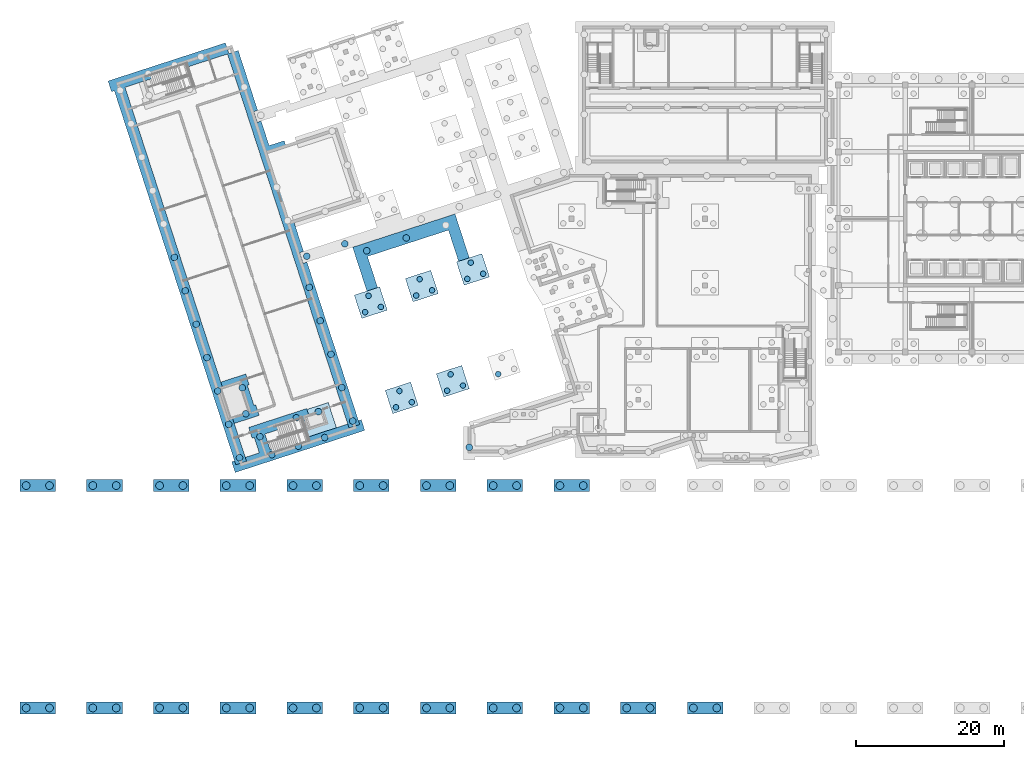
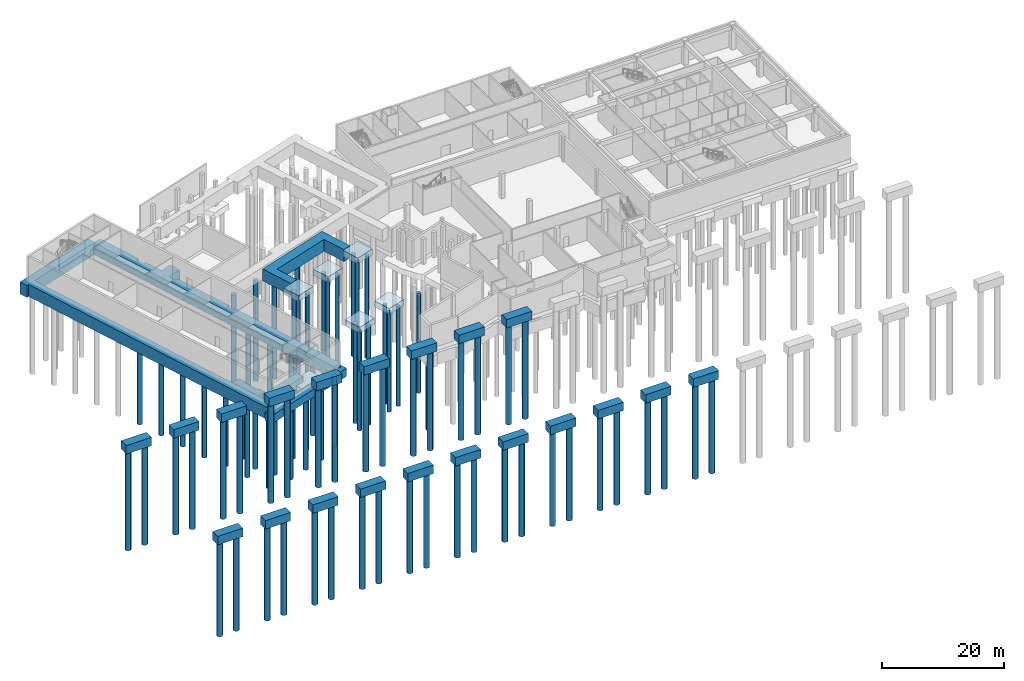
# One storey, part 1 of 17: 81 piles, 30 footings.
"""IFC4 building model written with IfcOpenShell, lengths in metres."""

from ifc_helpers import new_model, si_unit, direction, frame, origin, origin_2d, place, context, subcontext, project, spatial, polyline, rectangle, circle, outline, extrude, material, layer, layer_set, material_profile, profile_set, type_object, element, save


model = new_model("IFC4")

# Units and contexts
model_context = context("Model", 3, precision=1e-05, world=origin(), true_north=direction((0.0, 1.0)))
body_context = subcontext(model_context, "Body", "Model", "MODEL_VIEW")
ifc_project = project(units=[si_unit("LENGTHUNIT", "METRE"), si_unit("AREAUNIT", "SQUARE_METRE"), si_unit("VOLUMEUNIT", "CUBIC_METRE"), si_unit("PLANEANGLEUNIT", "RADIAN"), si_unit("MASSUNIT", "GRAM", prefix="KILO")], contexts=[model_context])

# Site, building, storey
site_placement = place(None, origin())
site = spatial("IfcSite", under=ifc_project, at=site_placement, CompositionType="ELEMENT")
building_placement = place(site_placement, origin())
building = spatial("IfcBuilding", under=site, at=building_placement, Name="Tuart Plaza Theatre", CompositionType="ELEMENT")
storey_placement = place(building_placement, frame((0.0, 0.0, -10.0)))
storey = spatial("IfcBuildingStorey", under=building, at=storey_placement, Name="B2", CompositionType="ELEMENT", Elevation=-10.0)

# Footings
ifc_material_1 = material(Name="Concrete N40 (40 MPa)", Category="concrete")
footing_type_1 = type_object("IfcFootingType", Name="CAP-2P-D1050-4800X1650X1700", PredefinedType="PILE_CAP", material=ifc_material_1)
for number, where, z_axis, x_axis, name in (
    (1, (6.0, 8.0, 3.2998046875), (0.0, 0.0, 1.0), (1.0, 0.0, 0.0), "D-CAP-001"),
    (2, (6.0, 38.0, 3.2998046875), (0.0, 0.0, 1.0), (1.0, 0.0, 0.0), "D-CAP-002"),
    (3, (15.0, 8.0, 3.2998046875), (0.0, 0.0, 1.0), (1.0, 0.0, 0.0), "D-CAP-003"),
    (4, (15.0, 38.0, 3.2998046875), (0.0, 0.0, 1.0), (1.0, 0.0, 0.0), "D-CAP-004"),
    (5, (24.0, 8.0, 3.2998046875), (0.0, 0.0, 1.0), (1.0, 0.0, 0.0), "D-CAP-005"),
    (6, (24.0, 38.0, 3.2998046875), (0.0, 0.0, 1.0), (1.0, 0.0, 0.0), "D-CAP-006"),
    (7, (33.0, 8.0, 3.2998046875), (0.0, 0.0, 1.0), (1.0, 0.0, 0.0), "D-CAP-007"),
    (8, (33.0, 38.0, 3.2998046875), (0.0, 0.0, 1.0), (1.0, 0.0, 0.0), "D-CAP-008"),
    (9, (42.0, 8.0, 3.2998046875), (0.0, 0.0, 1.0), (1.0, 0.0, 0.0), "D-CAP-009"),
    (10, (42.0, 38.0, 3.2998046875), (0.0, 0.0, 1.0), (1.0, 0.0, 0.0), "D-CAP-010"),
    (11, (51.0, 8.0, 3.2998046875), (0.0, 0.0, 1.0), (1.0, 0.0, 0.0), "D-CAP-015"),
    (12, (51.0, 38.0, 3.2998046875), (0.0, 0.0, 1.0), (1.0, 0.0, 0.0), "D-CAP-016"),
    (13, (60.0, 8.0, 3.2998046875), (0.0, 0.0, 1.0), (1.0, 0.0, 0.0), "D-CAP-022"),
    (14, (60.0, 38.0, 3.2998046875), (0.0, 0.0, 1.0), (1.0, 0.0, 0.0), "D-CAP-023"),
    (15, (69.0, 8.0, 3.2998046875), (0.0, 0.0, 1.0), (1.0, 0.0, 0.0), "D-CAP-030"),
    (16, (69.0, 38.0, 3.2998046875), (0.0, 0.0, 1.0), (1.0, 0.0, 0.0), "D-CAP-031"),
    (17, (78.0, 8.0, 3.2998046875), (0.0, 0.0, 1.0), (1.0, 0.0, 0.0), "D-CAP-037"),
    (18, (78.0, 38.0, 3.2998046875), (0.0, 0.0, 1.0), (1.0, 0.0, 0.0), "D-CAP-038"),
    (19, (87.0, 8.0, 3.2998046875), (0.0, 0.0, 1.0), (1.0, 0.0, 0.0), "D-CAP-043"),
    (20, (96.0, 8.0, 3.2998046875), (0.0, 0.0, 1.0), (1.0, 0.0, 0.0), "D-CAP-050"),
):
    element("IfcFooting", number, at=place(storey_placement, frame(where, z_axis=z_axis, x_axis=x_axis)), inside=storey, type_object=footing_type_1, Name=name, PredefinedType="PILE_CAP", context=body_context, shape_type="SweptSolid", body=[
        extrude(rectangle(XDim=4.800048828125, YDim=1.64990234375, at=origin_2d()), origin(), (0.0, 0.0, 1.0), 1.699951171875),
    ])
ifc_material_2 = material(Name="Concrete N40 (40 MPa)", Category="concrete")
footing_type_2 = type_object("IfcFootingType", Name="CAP-3P-D750-3600X3299X1200", PredefinedType="PILE_CAP", material=ifc_material_2)
for number, where, z_axis, x_axis, name in (
    (21, (50.907958984375, 62.6669921875, 3.4501953125), (0.0, 0.0, 1.0), (0.951056516295, 0.309016994375, 0.0), "D-CAP-014"),
    (22, (55.079833984375, 49.82763671875, 3.4501953125), (0.0, 0.0, 1.0), (0.951056516295, 0.309016994375, 0.0), "D-CAP-019"),
    (23, (57.80322265625, 64.9072265625, 3.4501953125), (0.0, 0.0, 1.0), (0.951056516295, 0.309016994375, 0.0), "D-CAP-020"),
    (24, (61.974853515625, 52.068115234375, 3.4501953125), (0.0, 0.0, 1.0), (0.951056516295, 0.309016994375, 0.0), "D-CAP-025"),
    (25, (64.6982421875, 67.147705078125, 3.4501953125), (0.0, 0.0, 1.0), (0.951056516295, 0.309016994375, 0.0), "D-CAP-027"),
):
    element("IfcFooting", number, at=place(storey_placement, frame(where, z_axis=z_axis, x_axis=x_axis)), inside=storey, type_object=footing_type_2, Name=name, PredefinedType="PILE_CAP", context=body_context, shape_type="SweptSolid", body=[
        extrude(rectangle(XDim=3.60009765625, YDim=3.299072265625, at=origin_2d()), origin(), (0.0, 0.0, 1.0), 1.199951171875),
    ])
ifc_material_3 = material(Name="Concrete N40 (40 MPa)", Category="concrete")
ifc_layer_1 = layer(ifc_material_3, 1.39990234375)
ifc_layer_set_1 = layer_set([ifc_layer_1], Name="CAP-STRIP-D900-T1400")
footing_type_3 = type_object("IfcFootingType", Name="CAP-STRIP-D900-T1400", PredefinedType="PILE_CAP", material=ifc_layer_set_1)
footing_1_placement = place(storey_placement, frame((0.0, 0.0, -3.199951171875)))
element("IfcFooting", 26, at=footing_1_placement, inside=storey, type_object=footing_type_3, Name="D-CAP-094", PredefinedType="PILE_CAP", context=body_context, shape_type="SweptSolid", body=[
    extrude(outline(polyline([(30.688720703125, 51.95458984375), (32.502685546875, 46.3720703125), (35.85498046875, 47.461181640625), (35.385498046875, 48.906982421875), (35.147705078125, 48.82958984375), (34.273193359375, 51.52099609375), (34.5107421875, 51.598388671875), (34.041015625, 53.0439453125), (30.688720703125, 51.95458984375)]), holes=[polyline([(32.827392578125, 51.051513671875), (31.467529296875, 50.609619140625), (32.342041015625, 47.91796875), (33.701904296875, 48.35986328125), (32.827392578125, 51.051513671875)])]), origin(), (0.0, 0.0, 1.0), 1.39990234375),
])
footing_2_placement = place(storey_placement, frame((0.0, 0.0, -3.199951171875)))
element("IfcFooting", 27, at=footing_2_placement, inside=storey, type_object=footing_type_3, Name="D-CAP-098", PredefinedType="PILE_CAP", context=body_context, shape_type="SweptSolid", body=[
    extrude(outline(polyline([(42.298095703125, 48.261474609375), (42.729248046875, 46.934814453125), (41.164794921875, 46.426513671875), (41.83837890625, 44.35302734375), (46.27978515625, 45.796142578125), (45.175048828125, 49.1962890625), (42.298095703125, 48.261474609375)])), origin(), (0.0, 0.0, 1.0), 1.39990234375),
])
ifc_material_4 = material(Name="Concrete N40 (40 MPa)", Category="concrete")
ifc_layer_2 = layer(ifc_material_4, 1.60009765625)
ifc_layer_set_2 = layer_set([ifc_layer_2], Name="CAP-STRIP-D900-T1600")
footing_type_4 = type_object("IfcFootingType", Name="CAP-STRIP-D900-T1600", PredefinedType="PILE_CAP", material=ifc_layer_set_2)
footing_3_placement = place(storey_placement, frame((0.0, 0.0, -2.39990234375)))
element("IfcFooting", 28, at=footing_3_placement, inside=storey, type_object=footing_type_4, Name="D-CAP-097", PredefinedType="PILE_CAP", context=body_context, shape_type="SweptSolid", body=[
    extrude(outline(polyline([(34.160400390625, 41.26953125), (32.71484375, 40.7998046875), (32.541748046875, 41.33251953125), (32.161376953125, 41.208740234375), (32.631103515625, 39.76318359375), (50.10205078125, 45.43994140625), (49.63232421875, 46.885498046875), (49.251953125, 46.761962890625), (49.4248046875, 46.229248046875), (47.979248046875, 45.759521484375), (47.806396484375, 46.292236328125), (37.316162109375, 42.8837890625), (36.642578125, 44.95703125), (42.729248046875, 46.934814453125), (42.259521484375, 48.38037109375), (34.44189453125, 45.840087890625), (34.91162109375, 44.39453125), (35.197021484375, 44.4873046875), (35.87060546875, 42.4140625), (33.9873046875, 41.80224609375), (34.160400390625, 41.26953125)])), origin(), (0.0, 0.0, 1.0), 1.599853515625),
])
ifc_material_5 = material(Name="Concrete N40 (40 MPa)", Category="concrete")
ifc_layer_3 = layer(ifc_material_5, 2.39990234375)
ifc_layer_set_3 = layer_set([ifc_layer_3], Name="CAP-STRIP-D900-T2400")
footing_type_5 = type_object("IfcFootingType", Name="CAP-STRIP-D900-T2400", PredefinedType="PILE_CAP", material=ifc_layer_set_3)
footing_4_placement = place(storey_placement, frame((0.0, 0.0, -2.39990234375)))
element("IfcFooting", 29, at=footing_4_placement, inside=storey, type_object=footing_type_5, Name="D-CAP-093", PredefinedType="PILE_CAP", context=body_context, shape_type="SweptSolid", body=[
    extrude(outline(polyline([(15.944091796875, 91.120361328125), (16.32470703125, 91.243896484375), (32.71484375, 40.7998046875), (34.160400390625, 41.26953125), (17.770263671875, 91.713623046875), (31.589111328125, 96.20361328125), (47.979248046875, 45.759521484375), (49.4248046875, 46.229248046875), (42.30517578125, 68.1416015625), (41.79638671875, 67.976318359375), (41.32666015625, 69.421875), (41.83544921875, 69.587158203125), (38.334228515625, 80.36279296875), (37.844482421875, 80.20361328125), (37.374755859375, 81.649169921875), (39.890380859375, 82.466552734375), (39.22607421875, 84.51123046875), (37.2001953125, 83.85302734375), (36.124755859375, 87.162841796875), (35.611328125, 86.995849609375), (35.1416015625, 88.44140625), (35.655029296875, 88.6083984375), (33.03466796875, 96.67333984375), (31.779296875, 96.265380859375), (31.3095703125, 97.7109375), (15.474609375, 92.56591796875), (15.944091796875, 91.120361328125)])), origin(), (0.0, 0.0, 1.0), 2.39990234375),
])
footing_5_placement = place(storey_placement, frame((0.0, 0.0, 2.25)))
element("IfcFooting", 30, at=footing_5_placement, inside=storey, type_object=footing_type_5, Name="D-CAP-101", PredefinedType="PILE_CAP", context=body_context, shape_type="SweptSolid", body=[
    extrude(outline(polyline([(50.388916015625, 64.232421875), (51.83447265625, 64.7021484375), (50.469970703125, 68.90185546875), (61.387939453125, 72.449462890625), (62.75244140625, 68.249755859375), (64.197998046875, 68.719482421875), (62.27734375, 74.631103515625), (48.468017578125, 70.14404296875), (50.388916015625, 64.232421875)])), origin(), (0.0, 0.0, 1.0), 2.39990234375),
])

# Piles
ifc_material_6 = material(Name="Concrete N40 (40 MPa)", Category="concrete")
ifc_material_profile_1 = material_profile(ifc_material_6, circle(Radius=0.52490234375, at=origin_2d()), Name="PILE-BORED-D1050")
ifc_profile_set_1 = profile_set([ifc_material_profile_1], Name="Concrete N40 (40 MPa)")
pile_type_1 = type_object("IfcPileType", Name="PILE-BORED-D1050", PredefinedType="BORED", material=ifc_profile_set_1)
for number, where, z_axis, x_axis, name in (
    (31, (4.425048828125, 8.0, 3.300048828125), (0.0, 0.0, -1.0), (1.0, 0.0, 0.0), "D-PIL-001-01"),
    (32, (7.574951171875, 8.0, 3.300048828125), (0.0, 0.0, -1.0), (1.0, 0.0, 0.0), "D-PIL-001-02"),
):
    element("IfcPile", number, at=place(storey_placement, frame(where, z_axis=z_axis, x_axis=x_axis)), inside=storey, type_object=pile_type_1, Name=name, PredefinedType="BORED", context=body_context, shape_type="SweptSolid", body=[
        extrude(circle(Radius=0.52490234375, at=origin_2d()), origin(), (0.0, 0.0, 1.0), 18.800048828125),
    ])
for number, where, z_axis, x_axis, name in (
    (33, (4.425048828125, 38.0, 3.300048828125), (0.0, 0.0, -1.0), (1.0, 0.0, 0.0), "D-PIL-002-01"),
    (34, (7.574951171875, 38.0, 3.300048828125), (0.0, 0.0, -1.0), (1.0, 0.0, 0.0), "D-PIL-002-02"),
):
    element("IfcPile", number, at=place(storey_placement, frame(where, z_axis=z_axis, x_axis=x_axis)), inside=storey, type_object=pile_type_1, Name=name, PredefinedType="BORED", context=body_context, shape_type="SweptSolid", body=[
        extrude(circle(Radius=0.52490234375, at=origin_2d()), origin(), (0.0, 0.0, 1.0), 19.800048828125),
    ])
for number, where, z_axis, x_axis, name in (
    (35, (13.425048828125, 8.0, 3.300048828125), (0.0, 0.0, -1.0), (1.0, 0.0, 0.0), "D-PIL-003-01"),
    (36, (16.574951171875, 8.0, 3.300048828125), (0.0, 0.0, -1.0), (1.0, 0.0, 0.0), "D-PIL-003-02"),
):
    element("IfcPile", number, at=place(storey_placement, frame(where, z_axis=z_axis, x_axis=x_axis)), inside=storey, type_object=pile_type_1, Name=name, PredefinedType="BORED", context=body_context, shape_type="SweptSolid", body=[
        extrude(circle(Radius=0.52490234375, at=origin_2d()), origin(), (0.0, 0.0, 1.0), 18.800048828125),
    ])
for number, where, z_axis, x_axis, name in (
    (37, (13.425048828125, 38.0, 3.300048828125), (0.0, 0.0, -1.0), (1.0, 0.0, 0.0), "D-PIL-004-01"),
    (38, (16.574951171875, 38.0, 3.300048828125), (0.0, 0.0, -1.0), (1.0, 0.0, 0.0), "D-PIL-004-02"),
):
    element("IfcPile", number, at=place(storey_placement, frame(where, z_axis=z_axis, x_axis=x_axis)), inside=storey, type_object=pile_type_1, Name=name, PredefinedType="BORED", context=body_context, shape_type="SweptSolid", body=[
        extrude(circle(Radius=0.52490234375, at=origin_2d()), origin(), (0.0, 0.0, 1.0), 19.800048828125),
    ])
for number, where, z_axis, x_axis, name in (
    (39, (22.425048828125, 8.0, 3.300048828125), (0.0, 0.0, -1.0), (1.0, 0.0, 0.0), "D-PIL-005-01"),
    (40, (25.574951171875, 8.0, 3.300048828125), (0.0, 0.0, -1.0), (1.0, 0.0, 0.0), "D-PIL-005-02"),
):
    element("IfcPile", number, at=place(storey_placement, frame(where, z_axis=z_axis, x_axis=x_axis)), inside=storey, type_object=pile_type_1, Name=name, PredefinedType="BORED", context=body_context, shape_type="SweptSolid", body=[
        extrude(circle(Radius=0.52490234375, at=origin_2d()), origin(), (0.0, 0.0, 1.0), 18.800048828125),
    ])
for number, where, z_axis, x_axis, name in (
    (41, (22.425048828125, 38.0, 3.300048828125), (0.0, 0.0, -1.0), (1.0, 0.0, 0.0), "D-PIL-006-01"),
    (42, (25.574951171875, 38.0, 3.300048828125), (0.0, 0.0, -1.0), (1.0, 0.0, 0.0), "D-PIL-006-02"),
):
    element("IfcPile", number, at=place(storey_placement, frame(where, z_axis=z_axis, x_axis=x_axis)), inside=storey, type_object=pile_type_1, Name=name, PredefinedType="BORED", context=body_context, shape_type="SweptSolid", body=[
        extrude(circle(Radius=0.52490234375, at=origin_2d()), origin(), (0.0, 0.0, 1.0), 19.800048828125),
    ])
for number, where, z_axis, x_axis, name in (
    (43, (31.425048828125, 8.0, 3.300048828125), (0.0, 0.0, -1.0), (1.0, 0.0, 0.0), "D-PIL-007-01"),
    (44, (34.574951171875, 8.0, 3.300048828125), (0.0, 0.0, -1.0), (1.0, 0.0, 0.0), "D-PIL-007-02"),
):
    element("IfcPile", number, at=place(storey_placement, frame(where, z_axis=z_axis, x_axis=x_axis)), inside=storey, type_object=pile_type_1, Name=name, PredefinedType="BORED", context=body_context, shape_type="SweptSolid", body=[
        extrude(circle(Radius=0.52490234375, at=origin_2d()), origin(), (0.0, 0.0, 1.0), 18.800048828125),
    ])
for number, where, z_axis, x_axis, name in (
    (45, (31.425048828125, 38.0, 3.300048828125), (0.0, 0.0, -1.0), (1.0, 0.0, 0.0), "D-PIL-008-01"),
    (46, (34.574951171875, 38.0, 3.300048828125), (0.0, 0.0, -1.0), (1.0, 0.0, 0.0), "D-PIL-008-02"),
):
    element("IfcPile", number, at=place(storey_placement, frame(where, z_axis=z_axis, x_axis=x_axis)), inside=storey, type_object=pile_type_1, Name=name, PredefinedType="BORED", context=body_context, shape_type="SweptSolid", body=[
        extrude(circle(Radius=0.52490234375, at=origin_2d()), origin(), (0.0, 0.0, 1.0), 19.800048828125),
    ])
for number, where, z_axis, x_axis, name in (
    (47, (40.425048828125, 8.0, 3.300048828125), (0.0, 0.0, -1.0), (1.0, 0.0, 0.0), "D-PIL-009-01"),
    (48, (43.574951171875, 8.0, 3.300048828125), (0.0, 0.0, -1.0), (1.0, 0.0, 0.0), "D-PIL-009-02"),
):
    element("IfcPile", number, at=place(storey_placement, frame(where, z_axis=z_axis, x_axis=x_axis)), inside=storey, type_object=pile_type_1, Name=name, PredefinedType="BORED", context=body_context, shape_type="SweptSolid", body=[
        extrude(circle(Radius=0.52490234375, at=origin_2d()), origin(), (0.0, 0.0, 1.0), 18.800048828125),
    ])
for number, where, z_axis, x_axis, name in (
    (49, (40.425048828125, 38.0, 3.300048828125), (0.0, 0.0, -1.0), (1.0, 0.0, 0.0), "D-PIL-010-01"),
    (50, (43.574951171875, 38.0, 3.300048828125), (0.0, 0.0, -1.0), (1.0, 0.0, 0.0), "D-PIL-010-02"),
):
    element("IfcPile", number, at=place(storey_placement, frame(where, z_axis=z_axis, x_axis=x_axis)), inside=storey, type_object=pile_type_1, Name=name, PredefinedType="BORED", context=body_context, shape_type="SweptSolid", body=[
        extrude(circle(Radius=0.52490234375, at=origin_2d()), origin(), (0.0, 0.0, 1.0), 19.800048828125),
    ])
for number, where, z_axis, x_axis, name in (
    (51, (49.425048828125, 8.0, 3.300048828125), (0.0, 0.0, -1.0), (1.0, 0.0, 0.0), "D-PIL-015-01"),
    (52, (52.574951171875, 8.0, 3.300048828125), (0.0, 0.0, -1.0), (1.0, 0.0, 0.0), "D-PIL-015-02"),
):
    element("IfcPile", number, at=place(storey_placement, frame(where, z_axis=z_axis, x_axis=x_axis)), inside=storey, type_object=pile_type_1, Name=name, PredefinedType="BORED", context=body_context, shape_type="SweptSolid", body=[
        extrude(circle(Radius=0.52490234375, at=origin_2d()), origin(), (0.0, 0.0, 1.0), 18.800048828125),
    ])
for number, where, z_axis, x_axis, name in (
    (53, (49.425048828125, 38.0, 3.300048828125), (0.0, 0.0, -1.0), (1.0, 0.0, 0.0), "D-PIL-016-01"),
    (54, (52.574951171875, 38.0, 3.300048828125), (0.0, 0.0, -1.0), (1.0, 0.0, 0.0), "D-PIL-016-02"),
):
    element("IfcPile", number, at=place(storey_placement, frame(where, z_axis=z_axis, x_axis=x_axis)), inside=storey, type_object=pile_type_1, Name=name, PredefinedType="BORED", context=body_context, shape_type="SweptSolid", body=[
        extrude(circle(Radius=0.52490234375, at=origin_2d()), origin(), (0.0, 0.0, 1.0), 19.800048828125),
    ])
for number, where, z_axis, x_axis, name in (
    (55, (58.425048828125, 8.0, 3.300048828125), (0.0, 0.0, -1.0), (1.0, 0.0, 0.0), "D-PIL-022-01"),
    (56, (61.574951171875, 8.0, 3.300048828125), (0.0, 0.0, -1.0), (1.0, 0.0, 0.0), "D-PIL-022-02"),
):
    element("IfcPile", number, at=place(storey_placement, frame(where, z_axis=z_axis, x_axis=x_axis)), inside=storey, type_object=pile_type_1, Name=name, PredefinedType="BORED", context=body_context, shape_type="SweptSolid", body=[
        extrude(circle(Radius=0.52490234375, at=origin_2d()), origin(), (0.0, 0.0, 1.0), 18.800048828125),
    ])
for number, where, z_axis, x_axis, name in (
    (57, (58.425048828125, 38.0, 3.300048828125), (0.0, 0.0, -1.0), (1.0, 0.0, 0.0), "D-PIL-023-01"),
    (58, (61.574951171875, 38.0, 3.300048828125), (0.0, 0.0, -1.0), (1.0, 0.0, 0.0), "D-PIL-023-02"),
):
    element("IfcPile", number, at=place(storey_placement, frame(where, z_axis=z_axis, x_axis=x_axis)), inside=storey, type_object=pile_type_1, Name=name, PredefinedType="BORED", context=body_context, shape_type="SweptSolid", body=[
        extrude(circle(Radius=0.52490234375, at=origin_2d()), origin(), (0.0, 0.0, 1.0), 19.800048828125),
    ])
for number, where, z_axis, x_axis, name in (
    (59, (67.425048828125, 8.0, 3.300048828125), (0.0, 0.0, -1.0), (1.0, 0.0, 0.0), "D-PIL-030-01"),
    (60, (70.574951171875, 8.0, 3.300048828125), (0.0, 0.0, -1.0), (1.0, 0.0, 0.0), "D-PIL-030-02"),
):
    element("IfcPile", number, at=place(storey_placement, frame(where, z_axis=z_axis, x_axis=x_axis)), inside=storey, type_object=pile_type_1, Name=name, PredefinedType="BORED", context=body_context, shape_type="SweptSolid", body=[
        extrude(circle(Radius=0.52490234375, at=origin_2d()), origin(), (0.0, 0.0, 1.0), 18.800048828125),
    ])
for number, where, z_axis, x_axis, name in (
    (61, (67.425048828125, 38.0, 3.300048828125), (0.0, 0.0, -1.0), (1.0, 0.0, 0.0), "D-PIL-031-01"),
    (62, (70.574951171875, 38.0, 3.300048828125), (0.0, 0.0, -1.0), (1.0, 0.0, 0.0), "D-PIL-031-02"),
):
    element("IfcPile", number, at=place(storey_placement, frame(where, z_axis=z_axis, x_axis=x_axis)), inside=storey, type_object=pile_type_1, Name=name, PredefinedType="BORED", context=body_context, shape_type="SweptSolid", body=[
        extrude(circle(Radius=0.52490234375, at=origin_2d()), origin(), (0.0, 0.0, 1.0), 19.800048828125),
    ])
for number, where, z_axis, x_axis, name in (
    (63, (76.425048828125, 8.0, 3.300048828125), (0.0, 0.0, -1.0), (1.0, 0.0, 0.0), "D-PIL-037-01"),
    (64, (79.574951171875, 8.0, 3.300048828125), (0.0, 0.0, -1.0), (1.0, 0.0, 0.0), "D-PIL-037-02"),
):
    element("IfcPile", number, at=place(storey_placement, frame(where, z_axis=z_axis, x_axis=x_axis)), inside=storey, type_object=pile_type_1, Name=name, PredefinedType="BORED", context=body_context, shape_type="SweptSolid", body=[
        extrude(circle(Radius=0.52490234375, at=origin_2d()), origin(), (0.0, 0.0, 1.0), 18.800048828125),
    ])
for number, where, z_axis, x_axis, name in (
    (65, (76.425048828125, 38.0, 3.300048828125), (0.0, 0.0, -1.0), (1.0, 0.0, 0.0), "D-PIL-038-01"),
    (66, (79.574951171875, 38.0, 3.300048828125), (0.0, 0.0, -1.0), (1.0, 0.0, 0.0), "D-PIL-038-02"),
):
    element("IfcPile", number, at=place(storey_placement, frame(where, z_axis=z_axis, x_axis=x_axis)), inside=storey, type_object=pile_type_1, Name=name, PredefinedType="BORED", context=body_context, shape_type="SweptSolid", body=[
        extrude(circle(Radius=0.52490234375, at=origin_2d()), origin(), (0.0, 0.0, 1.0), 19.800048828125),
    ])
for number, where, z_axis, x_axis, name in (
    (67, (85.425048828125, 8.0, 3.300048828125), (0.0, 0.0, -1.0), (1.0, 0.0, 0.0), "D-PIL-043-01"),
    (68, (88.574951171875, 8.0, 3.300048828125), (0.0, 0.0, -1.0), (1.0, 0.0, 0.0), "D-PIL-043-02"),
    (69, (94.425048828125, 8.0, 3.300048828125), (0.0, 0.0, -1.0), (1.0, 0.0, 0.0), "D-PIL-050-01"),
    (70, (97.574951171875, 8.0, 3.300048828125), (0.0, 0.0, -1.0), (1.0, 0.0, 0.0), "D-PIL-050-02"),
):
    element("IfcPile", number, at=place(storey_placement, frame(where, z_axis=z_axis, x_axis=x_axis)), inside=storey, type_object=pile_type_1, Name=name, PredefinedType="BORED", context=body_context, shape_type="SweptSolid", body=[
        extrude(circle(Radius=0.52490234375, at=origin_2d()), origin(), (0.0, 0.0, 1.0), 18.800048828125),
    ])
ifc_material_7 = material(Name="Concrete N40 (40 MPa)", Category="concrete")
ifc_material_profile_2 = material_profile(ifc_material_7, circle(Radius=0.375, at=origin_2d()), Name="PILE-BORED-D750")
ifc_profile_set_2 = profile_set([ifc_material_profile_2], Name="Concrete N40 (40 MPa)")
pile_type_2 = type_object("IfcPileType", Name="PILE-BORED-D750", PredefinedType="BORED", material=ifc_profile_set_2)
for number, where, z_axis, x_axis, name in (
    (71, (50.13916015625, 61.392578125, 3.449951171875), (0.0, 0.0, -1.0), (1.0, 0.0, 0.0), "D-PIL-014-01"),
    (72, (52.279052734375, 62.087890625, 3.449951171875), (0.0, 0.0, -1.0), (1.0, 0.0, 0.0), "D-PIL-014-02"),
):
    element("IfcPile", number, at=place(storey_placement, frame(where, z_axis=z_axis, x_axis=x_axis)), inside=storey, type_object=pile_type_2, Name=name, PredefinedType="BORED", context=body_context, shape_type="SweptSolid", body=[
        extrude(circle(Radius=0.375, at=origin_2d()), origin(), (0.0, 0.0, 1.0), 19.949951171875),
    ])
pile_1_placement = place(storey_placement, frame((50.60693359375, 63.593505859375, 3.449951171875), z_axis=(0.0, 0.0, -1.0), x_axis=(1.0, 0.0, 0.0)))
element("IfcPile", 73, at=pile_1_placement, inside=storey, type_object=pile_type_2, Name="D-PIL-014-03", PredefinedType="BORED", context=body_context, shape_type="SweptSolid", body=[
    extrude(circle(Radius=0.375, at=origin_2d()), origin(), (0.0, 0.0, 1.0), 20.449951171875),
])
for number, where, z_axis, x_axis, name in (
    (74, (54.310791015625, 48.553466796875, 3.449951171875), (0.0, 0.0, -1.0), (1.0, 0.0, 0.0), "D-PIL-019-01"),
    (75, (56.45068359375, 49.248779296875, 3.449951171875), (0.0, 0.0, -1.0), (1.0, 0.0, 0.0), "D-PIL-019-02"),
    (76, (54.77880859375, 50.754150390625, 3.449951171875), (0.0, 0.0, -1.0), (1.0, 0.0, 0.0), "D-PIL-019-03"),
):
    element("IfcPile", number, at=place(storey_placement, frame(where, z_axis=z_axis, x_axis=x_axis)), inside=storey, type_object=pile_type_2, Name=name, PredefinedType="BORED", context=body_context, shape_type="SweptSolid", body=[
        extrude(circle(Radius=0.375, at=origin_2d()), origin(), (0.0, 0.0, 1.0), 19.949951171875),
    ])
for number, where, z_axis, x_axis, name in (
    (77, (57.0341796875, 63.633056640625, 3.449951171875), (0.0, 0.0, -1.0), (1.0, 0.0, 0.0), "D-PIL-020-01"),
    (78, (59.17431640625, 64.328369140625, 3.449951171875), (0.0, 0.0, -1.0), (1.0, 0.0, 0.0), "D-PIL-020-02"),
    (79, (57.502197265625, 65.833740234375, 3.449951171875), (0.0, 0.0, -1.0), (1.0, 0.0, 0.0), "D-PIL-020-03"),
):
    element("IfcPile", number, at=place(storey_placement, frame(where, z_axis=z_axis, x_axis=x_axis)), inside=storey, type_object=pile_type_2, Name=name, PredefinedType="BORED", context=body_context, shape_type="SweptSolid", body=[
        extrude(circle(Radius=0.375, at=origin_2d()), origin(), (0.0, 0.0, 1.0), 20.449951171875),
    ])
for number, where, z_axis, x_axis, name in (
    (80, (61.2060546875, 50.793701171875, 3.449951171875), (0.0, 0.0, -1.0), (1.0, 0.0, 0.0), "D-PIL-025-01"),
    (81, (63.345947265625, 51.489013671875, 3.449951171875), (0.0, 0.0, -1.0), (1.0, 0.0, 0.0), "D-PIL-025-02"),
    (82, (61.673828125, 52.99462890625, 3.449951171875), (0.0, 0.0, -1.0), (1.0, 0.0, 0.0), "D-PIL-025-03"),
):
    element("IfcPile", number, at=place(storey_placement, frame(where, z_axis=z_axis, x_axis=x_axis)), inside=storey, type_object=pile_type_2, Name=name, PredefinedType="BORED", context=body_context, shape_type="SweptSolid", body=[
        extrude(circle(Radius=0.375, at=origin_2d()), origin(), (0.0, 0.0, 1.0), 19.949951171875),
    ])
for number, where, z_axis, x_axis, name in (
    (83, (63.929443359375, 65.873291015625, 3.449951171875), (0.0, 0.0, -1.0), (1.0, 0.0, 0.0), "D-PIL-027-01"),
    (84, (66.0693359375, 66.568603515625, 3.449951171875), (0.0, 0.0, -1.0), (1.0, 0.0, 0.0), "D-PIL-027-02"),
    (85, (64.397216796875, 68.07421875, 3.449951171875), (0.0, 0.0, -1.0), (1.0, 0.0, 0.0), "D-PIL-027-03"),
):
    element("IfcPile", number, at=place(storey_placement, frame(where, z_axis=z_axis, x_axis=x_axis)), inside=storey, type_object=pile_type_2, Name=name, PredefinedType="BORED", context=body_context, shape_type="SweptSolid", body=[
        extrude(circle(Radius=0.375, at=origin_2d()), origin(), (0.0, 0.0, 1.0), 20.449951171875),
    ])
pile_2_placement = place(storey_placement, frame((68.101318359375, 53.0341796875, 3.449951171875), z_axis=(0.0, 0.0, -1.0), x_axis=(1.0, 0.0, 0.0)))
element("IfcPile", 86, at=pile_2_placement, inside=storey, type_object=pile_type_2, Name="D-PIL-029-01", PredefinedType="BORED", context=body_context, shape_type="SweptSolid", body=[
    extrude(circle(Radius=0.375, at=origin_2d()), origin(), (0.0, 0.0, 1.0), 19.949951171875),
])
ifc_material_8 = material(Name="Concrete N40 (40 MPa)", Category="concrete")
ifc_material_profile_3 = material_profile(ifc_material_8, circle(Radius=0.449951171875, at=origin_2d()), Name="PILE-BORED-D900")
ifc_profile_set_3 = profile_set([ifc_material_profile_3], Name="Concrete N40 (40 MPa)")
pile_type_3 = type_object("IfcPileType", Name="PILE-BORED-D900", PredefinedType="BORED", material=ifc_profile_set_3)
for number, where, z_axis, x_axis, name in (
    (87, (24.42431640625, 68.775390625, -2.39990234375), (0.0, 0.0, -1.0), (1.0, 0.0, 0.0), "D-PIL-093-06"),
    (88, (25.8876953125, 64.270751953125, -2.39990234375), (0.0, 0.0, -1.0), (1.0, 0.0, 0.0), "D-PIL-093-07"),
    (89, (27.351318359375, 59.76611328125, -2.39990234375), (0.0, 0.0, -1.0), (1.0, 0.0, 0.0), "D-PIL-093-08"),
    (90, (28.815185546875, 55.26171875, -2.39990234375), (0.0, 0.0, -1.0), (1.0, 0.0, 0.0), "D-PIL-093-09"),
):
    element("IfcPile", number, at=place(storey_placement, frame(where, z_axis=z_axis, x_axis=x_axis)), inside=storey, type_object=pile_type_3, Name=name, PredefinedType="BORED", context=body_context, shape_type="SweptSolid", body=[
        extrude(circle(Radius=0.449951171875, at=origin_2d()), origin(), (0.0, 0.0, 1.0), 14.60009765625),
    ])
for number, where, z_axis, x_axis, name in (
    (91, (30.27880859375, 50.757080078125, -2.39990234375), (0.0, 0.0, -1.0), (1.0, 0.0, 0.0), "D-PIL-093-10"),
    (92, (31.7421875, 46.252685546875, -2.39990234375), (0.0, 0.0, -1.0), (1.0, 0.0, 0.0), "D-PIL-093-11"),
    (93, (33.205810546875, 41.748046875, -2.39990234375), (0.0, 0.0, -1.0), (1.0, 0.0, 0.0), "D-PIL-093-12"),
    (94, (48.470458984375, 46.707763671875, -2.39990234375), (0.0, 0.0, -1.0), (1.0, 0.0, 0.0), "D-PIL-093-16"),
    (95, (47.006591796875, 51.21240234375, -2.39990234375), (0.0, 0.0, -1.0), (1.0, 0.0, 0.0), "D-PIL-093-17"),
):
    element("IfcPile", number, at=place(storey_placement, frame(where, z_axis=z_axis, x_axis=x_axis)), inside=storey, type_object=pile_type_3, Name=name, PredefinedType="BORED", context=body_context, shape_type="SweptSolid", body=[
        extrude(circle(Radius=0.449951171875, at=origin_2d()), origin(), (0.0, 0.0, 1.0), 14.10009765625),
    ])
for number, where, z_axis, x_axis, name in (
    (96, (45.543212890625, 55.716796875, -2.39990234375), (0.0, 0.0, -1.0), (1.0, 0.0, 0.0), "D-PIL-093-18"),
    (97, (44.07958984375, 60.221435546875, -2.39990234375), (0.0, 0.0, -1.0), (1.0, 0.0, 0.0), "D-PIL-093-19"),
    (98, (42.615966796875, 64.725830078125, -2.39990234375), (0.0, 0.0, -1.0), (1.0, 0.0, 0.0), "D-PIL-093-20"),
):
    element("IfcPile", number, at=place(storey_placement, frame(where, z_axis=z_axis, x_axis=x_axis)), inside=storey, type_object=pile_type_3, Name=name, PredefinedType="BORED", context=body_context, shape_type="SweptSolid", body=[
        extrude(circle(Radius=0.449951171875, at=origin_2d()), origin(), (0.0, 0.0, 1.0), 14.60009765625),
    ])
for number, where, z_axis, x_axis, name in (
    (99, (34.065185546875, 47.6787109375, -3.199951171875), (0.0, 0.0, -1.0), (1.0, 0.0, 0.0), "D-PIL-094-01"),
    (100, (33.585693359375, 51.177001953125, -3.199951171875), (0.0, 0.0, -1.0), (1.0, 0.0, 0.0), "D-PIL-094-02"),
):
    element("IfcPile", number, at=place(storey_placement, frame(where, z_axis=z_axis, x_axis=x_axis)), inside=storey, type_object=pile_type_3, Name=name, PredefinedType="BORED", context=body_context, shape_type="SweptSolid", body=[
        extrude(circle(Radius=0.449951171875, at=origin_2d()), origin(), (0.0, 0.0, 1.0), 13.300048828125),
    ])
for number, where, z_axis, x_axis, name in (
    (101, (37.5771484375, 42.16943359375, -2.39990234375), (0.0, 0.0, -1.0), (1.0, 0.0, 0.0), "D-PIL-097-01"),
    (102, (41.131591796875, 43.324462890625, -2.39990234375), (0.0, 0.0, -1.0), (1.0, 0.0, 0.0), "D-PIL-097-02"),
    (103, (44.686279296875, 44.479248046875, -2.39990234375), (0.0, 0.0, -1.0), (1.0, 0.0, 0.0), "D-PIL-097-03"),
    (104, (35.962890625, 44.589111328125, -2.39990234375), (0.0, 0.0, -1.0), (1.0, 0.0, 0.0), "D-PIL-097-04"),
    (105, (40.8681640625, 47.129150390625, -2.39990234375), (0.0, 0.0, -1.0), (1.0, 0.0, 0.0), "D-PIL-097-05"),
):
    element("IfcPile", number, at=place(storey_placement, frame(where, z_axis=z_axis, x_axis=x_axis)), inside=storey, type_object=pile_type_3, Name=name, PredefinedType="BORED", context=body_context, shape_type="SweptSolid", body=[
        extrude(circle(Radius=0.449951171875, at=origin_2d()), origin(), (0.0, 0.0, 1.0), 14.10009765625),
    ])
pile_3_placement = place(storey_placement, frame((43.85498046875, 47.96826171875, -3.199951171875), z_axis=(0.0, 0.0, -1.0), x_axis=(1.0, 0.0, 0.0)))
element("IfcPile", 106, at=pile_3_placement, inside=storey, type_object=pile_type_3, Name="D-PIL-098-01", PredefinedType="BORED", context=body_context, shape_type="SweptSolid", body=[
    extrude(circle(Radius=0.449951171875, at=origin_2d()), origin(), (0.0, 0.0, 1.0), 13.300048828125),
])
for number, where, z_axis, x_axis, name in (
    (107, (50.3681640625, 69.66796875, 2.25), (0.0, 0.0, -1.0), (1.0, 0.0, 0.0), "D-PIL-101-01"),
    (108, (55.694091796875, 71.3984375, 2.25), (0.0, 0.0, -1.0), (1.0, 0.0, 0.0), "D-PIL-101-02"),
):
    element("IfcPile", number, at=place(storey_placement, frame(where, z_axis=z_axis, x_axis=x_axis)), inside=storey, type_object=pile_type_3, Name=name, PredefinedType="BORED", context=body_context, shape_type="SweptSolid", body=[
        extrude(circle(Radius=0.449951171875, at=origin_2d()), origin(), (0.0, 0.0, 1.0), 19.75),
    ])
pile_4_placement = place(storey_placement, frame((42.27490234375, 68.930908203125, 2.60009765625), z_axis=(0.0, 0.0, -1.0), x_axis=(1.0, 0.0, 0.0)))
element("IfcPile", 109, at=pile_4_placement, inside=storey, type_object=pile_type_3, Name="D-PIL-102-03", PredefinedType="BORED", context=body_context, shape_type="SweptSolid", body=[
    extrude(circle(Radius=0.449951171875, at=origin_2d()), origin(), (0.0, 0.0, 1.0), 19.60009765625),
])
pile_5_placement = place(storey_placement, frame((47.419921875, 70.602783203125, 2.60009765625), z_axis=(0.0, 0.0, -1.0), x_axis=(1.0, 0.0, 0.0)))
element("IfcPile", 110, at=pile_5_placement, inside=storey, type_object=pile_type_3, Name="D-PIL-102-04", PredefinedType="BORED", context=body_context, shape_type="SweptSolid", body=[
    extrude(circle(Radius=0.449951171875, at=origin_2d()), origin(), (0.0, 0.0, 1.0), 20.10009765625),
])
pile_6_placement = place(storey_placement, frame((64.199951171875, 43.14990234375, -3.199951171875), z_axis=(0.0, 0.0, -1.0), x_axis=(1.0, 0.0, 0.0)))
element("IfcPile", 111, at=pile_6_placement, inside=storey, type_object=pile_type_3, Name="D-PIL-107-01", PredefinedType="BORED", context=body_context, shape_type="SweptSolid", body=[
    extrude(circle(Radius=0.449951171875, at=origin_2d()), origin(), (0.0, 0.0, 1.0), 13.300048828125),
])

save(model, "model.ifc")
